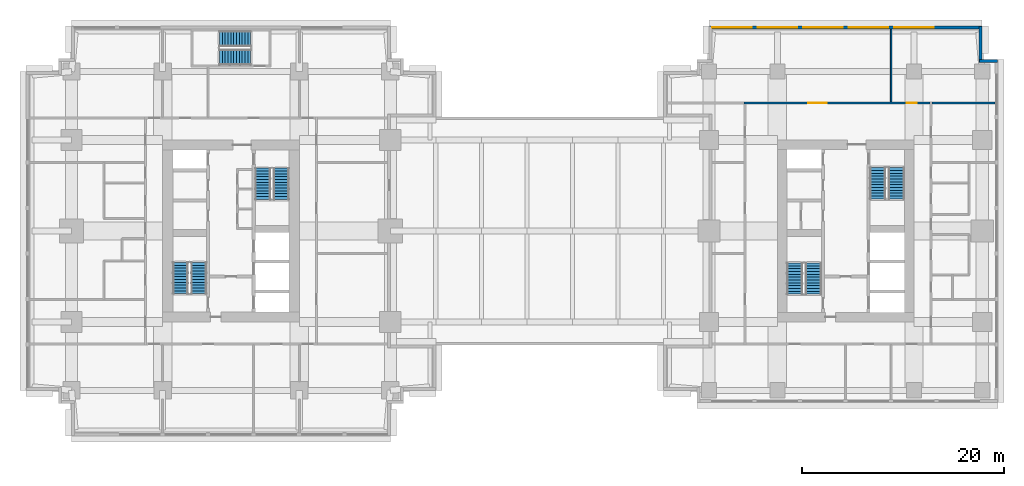
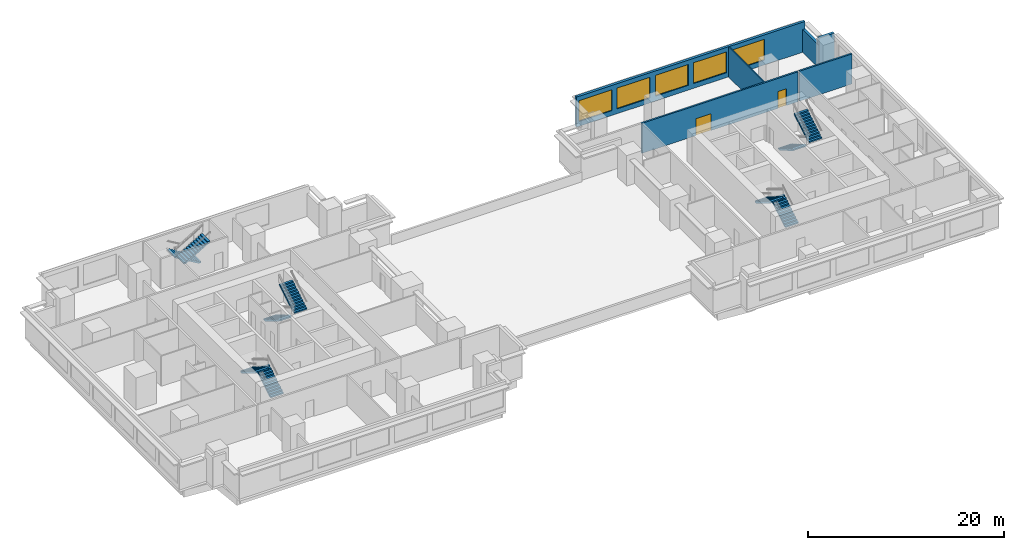
# One storey, part 8 of 10: 10 stair flights, 6 walls, 5 windows, 2 doors, 7 openings, 5 elements without a shape of their own.
"""IFC4 building model written with IfcOpenShell, lengths in metres."""

from ifc_helpers import new_model, si_unit, direction, frame, frame_2d, origin, place, context, subcontext, project, spatial, polyline, rectangle, outline, extrude, material, layer, layer_set, type_object, element, fill, aggregate, save


model = new_model("IFC4")

# Units and contexts
model_context = context("Model", 3, precision=1e-05, world=origin(), true_north=direction((0.0, 1.0)))
body_context = subcontext(model_context, "Body", "Model", "MODEL_VIEW")
ifc_project = project(units=[si_unit("LENGTHUNIT", "METRE"), si_unit("AREAUNIT", "SQUARE_METRE"), si_unit("VOLUMEUNIT", "CUBIC_METRE"), si_unit("PLANEANGLEUNIT", "RADIAN"), si_unit("MASSUNIT", "GRAM", prefix="KILO")], contexts=[model_context])

# Site, building, storey
site_placement = place(None, origin())
site = spatial("IfcSite", under=ifc_project, at=site_placement, CompositionType="ELEMENT")
building_placement = place(site_placement, origin())
building = spatial("IfcBuilding", under=site, at=building_placement, Name="Namib Vertical Campus", CompositionType="ELEMENT")
storey_placement = place(building_placement, frame((0.0, 0.0, 137.0)))
storey = spatial("IfcBuildingStorey", under=building, at=storey_placement, Name="L32", CompositionType="ELEMENT", Elevation=137.0)

# Wall, openings, doors
ifc_material_1 = material(Name="Concrete masonry", Category="masonry")
ifc_layer_1 = layer(ifc_material_1, 0.199951171875)
ifc_layer_set_1 = layer_set([ifc_layer_1], Name="Corridor wall 200")
wall_type_1 = type_object("IfcWallType", Name="Corridor wall 200", PredefinedType="SOLIDWALL", material=ifc_layer_set_1)
wall_1_placement = place(storey_placement, frame((89.35009765625, 32.89990234375, 0.0), z_axis=(0.0, 0.0, 1.0), x_axis=(-1.0, 0.0, 0.0)))
wall_1 = element("IfcWall", 1, at=wall_1_placement, inside=storey, type_object=wall_type_1, Name="Corridor wall B L32 CN", PredefinedType="SOLIDWALL", context=body_context, shape_type="SweptSolid", body=[
    extrude(rectangle(XDim=18.400146484375, YDim=0.199951171875, at=frame_2d((9.2001953125, 0.0))), origin(), (0.0, 0.0, 1.0), 3.75),
])
opening_1_placement = place(wall_1_placement, frame((10.22509765625, 0.0, 0.0)))
opening_1 = element("IfcOpeningElement", 2, at=opening_1_placement, cuts=wall_1, Name="Opening CD2", PredefinedType="OPENING", context=body_context, shape_type="SweptSolid", body=[
    extrude(rectangle(XDim=1.800048828125, YDim=2.10009765625, at=frame_2d((0.89990234375, 1.050048828125))), frame((0.0, 0.10986328125, 0.0), z_axis=(0.0, -1.0, 0.0), x_axis=(1.0, 0.0, 0.0)), (0.0, 0.0, 1.0), 0.219970703125),
])
opening_2_placement = place(wall_1_placement, frame((1.324951171875, 0.0, 0.0)))
opening_2 = element("IfcOpeningElement", 3, at=opening_2_placement, cuts=wall_1, Name="Opening CD1", PredefinedType="OPENING", context=body_context, shape_type="SweptSolid", body=[
    extrude(rectangle(XDim=1.0, YDim=2.10009765625, at=frame_2d((0.5, 1.050048828125))), frame((0.0, 0.10986328125, 0.0), z_axis=(0.0, -1.0, 0.0), x_axis=(1.0, 0.0, 0.0)), (0.0, 0.0, 1.0), 0.219970703125),
])
ifc_material_2 = material(Name="Timber fire door leaf", Category="wood")
door_type_1 = type_object("IfcDoorType", Name="Corridor door 1000x2100 20 min", OperationType="SINGLE_SWING_LEFT", PredefinedType="DOOR", material=ifc_material_2)
door_1_placement = place(opening_2_placement, frame((1.0, 0.0, 0.0), z_axis=(0.0, 0.0, 1.0), x_axis=(-1.0, 0.0, 0.0)))
door_1 = element("IfcDoor", 4, at=door_1_placement, inside=storey, type_object=door_type_1, Name="Door CD1 B32-12", OperationType="SINGLE_SWING_LEFT", OverallHeight=2.10009765625, OverallWidth=1.0, PredefinedType="DOOR", context=body_context, shape_type="SweptSolid", body=[
    extrude(rectangle(XDim=1.0, YDim=2.10009765625, at=frame_2d((0.5, 1.050048828125))), frame((0.0, 0.02490234375, 0.0), z_axis=(0.0, -1.0, 0.0), x_axis=(1.0, 0.0, 0.0)), (0.0, 0.0, 1.0), 0.050048828125),
])
fill(opening_2, door_1)
ifc_material_3 = material(Name="Timber fire door leaf", Category="wood")
door_type_2 = type_object("IfcDoorType", Name="Corridor door double 1800x2100 20 min", OperationType="DOUBLE_DOOR_SINGLE_SWING", PredefinedType="DOOR", material=ifc_material_3)
door_2_placement = place(opening_1_placement, frame((1.800048828125, 0.0, 0.0), z_axis=(0.0, 0.0, 1.0), x_axis=(-1.0, 0.0, 0.0)))
door_2 = element("IfcDoor", 5, at=door_2_placement, inside=storey, type_object=door_type_2, Name="Door CD2 B32-11", OperationType="DOUBLE_DOOR_SINGLE_SWING", OverallHeight=2.10009765625, OverallWidth=1.800048828125, PredefinedType="DOOR", context=body_context, shape_type="SweptSolid", body=[
    extrude(rectangle(XDim=1.800048828125, YDim=2.10009765625, at=frame_2d((0.89990234375, 1.050048828125))), frame((0.0, 0.02490234375, 0.0), z_axis=(0.0, -1.0, 0.0), x_axis=(1.0, 0.0, 0.0)), (0.0, 0.0, 1.0), 0.050048828125),
])
fill(opening_1, door_2)

# Walls
wall_2_placement = place(storey_placement, frame((89.550048828125, 32.89990234375, 0.0), z_axis=(0.0, 0.0, 1.0), x_axis=(1.0, 0.0, 0.0)))
element("IfcWall", 6, at=wall_2_placement, inside=storey, type_object=wall_type_1, Name="Partition B L32 BNE", PredefinedType="SOLIDWALL", context=body_context, shape_type="SweptSolid", body=[
    extrude(rectangle(XDim=6.199951171875, YDim=0.199951171875, at=frame_2d((3.10009765625, 0.0))), origin(), (0.0, 0.0, 1.0), 3.75),
])
ifc_material_4 = material(Name="Concrete C40/50", Category="concrete")
ifc_layer_2 = layer(ifc_material_4, 0.300048828125)
ifc_layer_set_2 = layer_set([ifc_layer_2], Name="Concrete C40/50")
wall_type_2 = type_object("IfcWallType", Name="External wall 300 board-marked concrete", PredefinedType="STANDARD", material=ifc_layer_set_2)
wall_3_placement = place(storey_placement, frame((96.030029296875, 37.050048828125, 0.0), z_axis=(0.0, 0.0, 1.0), x_axis=(-1.0, 0.0, 0.0)))
element("IfcWall", 7, at=wall_3_placement, inside=storey, type_object=wall_type_2, Name="External wall L32 F06", PredefinedType="STANDARD", context=body_context, shape_type="SweptSolid", body=[
    extrude(rectangle(XDim=1.81005859375, YDim=0.300048828125, at=frame_2d((0.905029296875, 0.0))), origin(), (0.0, 0.0, 1.0), 3.75),
])
wall_4_placement = place(storey_placement, frame((94.35009765625, 36.919921875, 0.0), z_axis=(0.0, 0.0, 1.0), x_axis=(0.0, 1.0, 0.0)))
element("IfcWall", 8, at=wall_4_placement, inside=storey, type_object=wall_type_2, Name="External wall L32 F07", PredefinedType="STANDARD", context=body_context, shape_type="SweptSolid", body=[
    extrude(rectangle(XDim=3.56005859375, YDim=0.300048828125, at=frame_2d((1.780029296875, 0.0))), origin(), (0.0, 0.0, 1.0), 2.85009765625),
])

# Wall, openings, windows
wall_5_placement = place(storey_placement, frame((94.47998046875, 40.35009765625, 0.0), z_axis=(0.0, 0.0, 1.0), x_axis=(-1.0, 0.0, 0.0)))
wall_5 = element("IfcWall", 9, at=wall_5_placement, inside=storey, type_object=wall_type_2, Name="External wall L32 F08", PredefinedType="STANDARD", context=body_context, shape_type="SweptSolid", body=[
    extrude(rectangle(XDim=26.9599609375, YDim=0.300048828125, at=frame_2d((13.47998046875, 0.0))), origin(), (0.0, 0.0, 1.0), 3.75),
])
opening_3_placement = place(wall_5_placement, frame((22.780029296875, 0.0, 0.60009765625)))
opening_3 = element("IfcOpeningElement", 10, at=opening_3_placement, cuts=wall_5, Name="Opening W2", PredefinedType="OPENING", context=body_context, shape_type="SweptSolid", body=[
    extrude(rectangle(XDim=3.89990234375, YDim=2.60009765625, at=frame_2d((1.949951171875, 1.300048828125))), frame((0.0, 0.159912109375, 0.0), z_axis=(0.0, -1.0, 0.0), x_axis=(1.0, 0.0, 0.0)), (0.0, 0.0, 1.0), 0.320068359375),
])
opening_4_placement = place(wall_5_placement, frame((18.280029296875, 0.0, 0.60009765625)))
opening_4 = element("IfcOpeningElement", 11, at=opening_4_placement, cuts=wall_5, Name="Opening W2", PredefinedType="OPENING", context=body_context, shape_type="SweptSolid", body=[
    extrude(rectangle(XDim=3.89990234375, YDim=2.60009765625, at=frame_2d((1.949951171875, 1.300048828125))), frame((0.0, 0.159912109375, 0.0), z_axis=(0.0, -1.0, 0.0), x_axis=(1.0, 0.0, 0.0)), (0.0, 0.0, 1.0), 0.320068359375),
])
opening_5_placement = place(wall_5_placement, frame((13.780029296875, 0.0, 0.60009765625)))
opening_5 = element("IfcOpeningElement", 12, at=opening_5_placement, cuts=wall_5, Name="Opening W2", PredefinedType="OPENING", context=body_context, shape_type="SweptSolid", body=[
    extrude(rectangle(XDim=3.89990234375, YDim=2.60009765625, at=frame_2d((1.949951171875, 1.300048828125))), frame((0.0, 0.159912109375, 0.0), z_axis=(0.0, -1.0, 0.0), x_axis=(1.0, 0.0, 0.0)), (0.0, 0.0, 1.0), 0.320068359375),
])
opening_6_placement = place(wall_5_placement, frame((9.280029296875, 0.0, 0.60009765625)))
opening_6 = element("IfcOpeningElement", 13, at=opening_6_placement, cuts=wall_5, Name="Opening W2", PredefinedType="OPENING", context=body_context, shape_type="SweptSolid", body=[
    extrude(rectangle(XDim=3.89990234375, YDim=2.60009765625, at=frame_2d((1.949951171875, 1.300048828125))), frame((0.0, 0.159912109375, 0.0), z_axis=(0.0, -1.0, 0.0), x_axis=(1.0, 0.0, 0.0)), (0.0, 0.0, 1.0), 0.320068359375),
])
opening_7_placement = place(wall_5_placement, frame((4.780029296875, 0.0, 0.60009765625)))
opening_7 = element("IfcOpeningElement", 14, at=opening_7_placement, cuts=wall_5, Name="Opening W2", PredefinedType="OPENING", context=body_context, shape_type="SweptSolid", body=[
    extrude(rectangle(XDim=3.89990234375, YDim=2.60009765625, at=frame_2d((1.949951171875, 1.300048828125))), frame((0.0, 0.159912109375, 0.0), z_axis=(0.0, -1.0, 0.0), x_axis=(1.0, 0.0, 0.0)), (0.0, 0.0, 1.0), 0.320068359375),
])
ifc_material_5 = material(Name="Dark tinted glass in black aluminium frame", Category="aluminium")
window_type = type_object("IfcWindowType", Name="Ribbon window 3900x2600", PartitioningType="SINGLE_PANEL", PredefinedType="WINDOW", material=ifc_material_5)
window_1_placement = place(opening_3_placement, origin())
window_1 = element("IfcWindow", 15, at=window_1_placement, inside=storey, type_object=window_type, Name="Window W2 L32 F08-1", OverallHeight=2.60009765625, OverallWidth=3.89990234375, PartitioningType="SINGLE_PANEL", PredefinedType="WINDOW", context=body_context, shape_type="SweptSolid", body=[
    extrude(rectangle(XDim=3.89990234375, YDim=2.60009765625, at=frame_2d((1.949951171875, 1.300048828125))), frame((0.0, 0.030029296875, 0.0), z_axis=(0.0, -1.0, 0.0), x_axis=(1.0, 0.0, 0.0)), (0.0, 0.0, 1.0), 0.06005859375),
])
fill(opening_3, window_1)
window_2_placement = place(opening_4_placement, origin())
window_2 = element("IfcWindow", 16, at=window_2_placement, inside=storey, type_object=window_type, Name="Window W2 L32 F08-2", OverallHeight=2.60009765625, OverallWidth=3.89990234375, PartitioningType="SINGLE_PANEL", PredefinedType="WINDOW", context=body_context, shape_type="SweptSolid", body=[
    extrude(rectangle(XDim=3.89990234375, YDim=2.60009765625, at=frame_2d((1.949951171875, 1.300048828125))), frame((0.0, 0.030029296875, 0.0), z_axis=(0.0, -1.0, 0.0), x_axis=(1.0, 0.0, 0.0)), (0.0, 0.0, 1.0), 0.06005859375),
])
fill(opening_4, window_2)
window_3_placement = place(opening_5_placement, origin())
window_3 = element("IfcWindow", 17, at=window_3_placement, inside=storey, type_object=window_type, Name="Window W2 L32 F08-3", OverallHeight=2.60009765625, OverallWidth=3.89990234375, PartitioningType="SINGLE_PANEL", PredefinedType="WINDOW", context=body_context, shape_type="SweptSolid", body=[
    extrude(rectangle(XDim=3.89990234375, YDim=2.60009765625, at=frame_2d((1.949951171875, 1.300048828125))), frame((0.0, 0.030029296875, 0.0), z_axis=(0.0, -1.0, 0.0), x_axis=(1.0, 0.0, 0.0)), (0.0, 0.0, 1.0), 0.06005859375),
])
fill(opening_5, window_3)
window_4_placement = place(opening_6_placement, origin())
window_4 = element("IfcWindow", 18, at=window_4_placement, inside=storey, type_object=window_type, Name="Window W2 L32 F08-4", OverallHeight=2.60009765625, OverallWidth=3.89990234375, PartitioningType="SINGLE_PANEL", PredefinedType="WINDOW", context=body_context, shape_type="SweptSolid", body=[
    extrude(rectangle(XDim=3.89990234375, YDim=2.60009765625, at=frame_2d((1.949951171875, 1.300048828125))), frame((0.0, 0.030029296875, 0.0), z_axis=(0.0, -1.0, 0.0), x_axis=(1.0, 0.0, 0.0)), (0.0, 0.0, 1.0), 0.06005859375),
])
fill(opening_6, window_4)
window_5_placement = place(opening_7_placement, origin())
window_5 = element("IfcWindow", 19, at=window_5_placement, inside=storey, type_object=window_type, Name="Window W2 L32 F08-5", OverallHeight=2.60009765625, OverallWidth=3.89990234375, PartitioningType="SINGLE_PANEL", PredefinedType="WINDOW", context=body_context, shape_type="SweptSolid", body=[
    extrude(rectangle(XDim=3.89990234375, YDim=2.60009765625, at=frame_2d((1.949951171875, 1.300048828125))), frame((0.0, 0.030029296875, 0.0), z_axis=(0.0, -1.0, 0.0), x_axis=(1.0, 0.0, 0.0)), (0.0, 0.0, 1.0), 0.06005859375),
])
fill(opening_7, window_5)

# Wall
ifc_material_6 = material(Name="Gypsum board on steel studs", Category="steel")
ifc_layer_3 = layer(ifc_material_6, 0.14990234375)
ifc_layer_set_3 = layer_set([ifc_layer_3], Name="Gypsum board on steel studs")
wall_type_3 = type_object("IfcWallType", Name="Partition 150", PredefinedType="PARTITIONING", material=ifc_layer_set_3)
wall_6_placement = place(storey_placement, frame((85.5, 33.0, 0.0), z_axis=(0.0, 0.0, 1.0), x_axis=(0.0, 1.0, 0.0)))
element("IfcWall", 20, at=wall_6_placement, inside=storey, type_object=wall_type_3, Name="Partition B L32 PN1", PredefinedType="PARTITIONING", context=body_context, shape_type="SweptSolid", body=[
    extrude(rectangle(XDim=7.199951171875, YDim=0.14990234375, at=frame_2d((3.60009765625, 0.0))), origin(), (0.0, 0.0, 1.0), 3.75),
])

# Stair, stair flights
ifc_material_7 = material(Name="Concrete C40/50 precast", Category="concrete")
stair_type_1 = type_object("IfcStairType", Name="Exit stair 4000 rise 24 risers 3350 wide", PredefinedType="HALF_TURN_STAIR", material=ifc_material_7)
stair_1_placement = place(storey_placement, origin())
stair_1 = element("IfcStair", 21, at=stair_1_placement, inside=storey, type_object=stair_type_1, Name="Exit stair A-S1 L32", PredefinedType="HALF_TURN_STAIR")
ifc_material_8 = material(Name="Concrete C40/50 precast", Category="concrete")
stair_flight_type_1 = type_object("IfcStairFlightType", Name="Stair flight 12 risers 167 1525 wide", PredefinedType="STRAIGHT", material=ifc_material_8)
stair_flight_1_placement = place(storey_placement, frame((17.08740234375, 14.050048828125, 0.0), z_axis=(0.0, 0.0, 1.0), x_axis=(0.0, 1.0, 0.0)))
stair_flight_1 = element("IfcStairFlight", 22, at=stair_flight_1_placement, type_object=stair_flight_type_1, Name="A-S1 flight 1", NumberOfRisers=12, NumberOfTreads=11, PredefinedType="STRAIGHT", RiserHeight=0.166666667, TreadLength=0.28, context=body_context, shape_type="SweptSolid", body=[
    extrude(outline(polyline([(0.0, 0.0), (0.0, 0.166748046875), (0.280029296875, 0.166748046875), (0.280029296875, 0.333251953125), (0.56005859375, 0.333251953125), (0.56005859375, 0.5), (0.840087890625, 0.5), (0.840087890625, 0.666748046875), (1.1201171875, 0.666748046875), (1.1201171875, 0.833251953125), (1.39990234375, 0.833251953125), (1.39990234375, 1.0), (1.679931640625, 1.0), (1.679931640625, 1.166748046875), (1.9599609375, 1.166748046875), (1.9599609375, 1.333251953125), (2.239990234375, 1.333251953125), (2.239990234375, 1.5), (2.52001953125, 1.5), (2.52001953125, 1.666748046875), (2.800048828125, 1.666748046875), (2.800048828125, 1.833251953125), (3.080078125, 1.833251953125), (3.080078125, 2.0), (3.080078125, 1.658935546875), (0.29296875, 0.0), (0.0, 0.0)])), frame((0.0, 0.762451171875, 0.0), z_axis=(0.0, -1.0, 0.0), x_axis=(1.0, 0.0, 0.0)), (0.0, 0.0, 1.0), 1.52490234375),
])
stair_flight_2_placement = place(storey_placement, frame((15.262451171875, 17.1298828125, 2.0), z_axis=(0.0, 0.0, 1.0), x_axis=(0.0, -1.0, 0.0)))
stair_flight_2 = element("IfcStairFlight", 23, at=stair_flight_2_placement, type_object=stair_flight_type_1, Name="A-S1 flight 2", NumberOfRisers=12, NumberOfTreads=11, PredefinedType="STRAIGHT", RiserHeight=0.166666667, TreadLength=0.28, context=body_context, shape_type="SweptSolid", body=[
    extrude(outline(polyline([(0.0, 0.0), (0.0, 0.166748046875), (0.280029296875, 0.166748046875), (0.280029296875, 0.333251953125), (0.56005859375, 0.333251953125), (0.56005859375, 0.5), (0.840087890625, 0.5), (0.840087890625, 0.666748046875), (1.1201171875, 0.666748046875), (1.1201171875, 0.833251953125), (1.39990234375, 0.833251953125), (1.39990234375, 1.0), (1.679931640625, 1.0), (1.679931640625, 1.166748046875), (1.9599609375, 1.166748046875), (1.9599609375, 1.333251953125), (2.239990234375, 1.333251953125), (2.239990234375, 1.5), (2.52001953125, 1.5), (2.52001953125, 1.666748046875), (2.800048828125, 1.666748046875), (2.800048828125, 1.833251953125), (3.080078125, 1.833251953125), (3.080078125, 2.0), (3.080078125, 1.658935546875), (0.29296875, 0.0), (0.0, 0.0)])), frame((0.0, 0.762451171875, 0.0), z_axis=(0.0, -1.0, 0.0), x_axis=(1.0, 0.0, 0.0)), (0.0, 0.0, 1.0), 1.52490234375),
])
aggregate(stair_1, [stair_flight_1, stair_flight_2])

stair_2_placement = place(storey_placement, origin())
stair_2 = element("IfcStair", 24, at=stair_2_placement, inside=storey, type_object=stair_type_1, Name="Exit stair A-S2 L32", PredefinedType="HALF_TURN_STAIR")
stair_flight_3_placement = place(storey_placement, frame((23.41259765625, 26.449951171875, 0.0), z_axis=(0.0, 0.0, 1.0), x_axis=(0.0, -1.0, 0.0)))
stair_flight_3 = element("IfcStairFlight", 25, at=stair_flight_3_placement, type_object=stair_flight_type_1, Name="A-S2 flight 1", NumberOfRisers=12, NumberOfTreads=11, PredefinedType="STRAIGHT", RiserHeight=0.166666667, TreadLength=0.28, context=body_context, shape_type="SweptSolid", body=[
    extrude(outline(polyline([(0.0, 0.0), (0.0, 0.166748046875), (0.280029296875, 0.166748046875), (0.280029296875, 0.333251953125), (0.56005859375, 0.333251953125), (0.56005859375, 0.5), (0.840087890625, 0.5), (0.840087890625, 0.666748046875), (1.1201171875, 0.666748046875), (1.1201171875, 0.833251953125), (1.39990234375, 0.833251953125), (1.39990234375, 1.0), (1.679931640625, 1.0), (1.679931640625, 1.166748046875), (1.9599609375, 1.166748046875), (1.9599609375, 1.333251953125), (2.239990234375, 1.333251953125), (2.239990234375, 1.5), (2.52001953125, 1.5), (2.52001953125, 1.666748046875), (2.800048828125, 1.666748046875), (2.800048828125, 1.833251953125), (3.080078125, 1.833251953125), (3.080078125, 2.0), (3.080078125, 1.658935546875), (0.29296875, 0.0), (0.0, 0.0)])), frame((0.0, 0.762451171875, 0.0), z_axis=(0.0, -1.0, 0.0), x_axis=(1.0, 0.0, 0.0)), (0.0, 0.0, 1.0), 1.52490234375),
])
stair_flight_4_placement = place(storey_placement, frame((25.237548828125, 23.3701171875, 2.0), z_axis=(0.0, 0.0, 1.0), x_axis=(0.0, 1.0, 0.0)))
stair_flight_4 = element("IfcStairFlight", 26, at=stair_flight_4_placement, type_object=stair_flight_type_1, Name="A-S2 flight 2", NumberOfRisers=12, NumberOfTreads=11, PredefinedType="STRAIGHT", RiserHeight=0.166666667, TreadLength=0.28, context=body_context, shape_type="SweptSolid", body=[
    extrude(outline(polyline([(0.0, 0.0), (0.0, 0.166748046875), (0.280029296875, 0.166748046875), (0.280029296875, 0.333251953125), (0.56005859375, 0.333251953125), (0.56005859375, 0.5), (0.840087890625, 0.5), (0.840087890625, 0.666748046875), (1.1201171875, 0.666748046875), (1.1201171875, 0.833251953125), (1.39990234375, 0.833251953125), (1.39990234375, 1.0), (1.679931640625, 1.0), (1.679931640625, 1.166748046875), (1.9599609375, 1.166748046875), (1.9599609375, 1.333251953125), (2.239990234375, 1.333251953125), (2.239990234375, 1.5), (2.52001953125, 1.5), (2.52001953125, 1.666748046875), (2.800048828125, 1.666748046875), (2.800048828125, 1.833251953125), (3.080078125, 1.833251953125), (3.080078125, 2.0), (3.080078125, 1.658935546875), (0.29296875, 0.0), (0.0, 0.0)])), frame((0.0, 0.762451171875, 0.0), z_axis=(0.0, -1.0, 0.0), x_axis=(1.0, 0.0, 0.0)), (0.0, 0.0, 1.0), 1.52490234375),
])
aggregate(stair_2, [stair_flight_3, stair_flight_4])

stair_3_placement = place(storey_placement, origin())
stair_3 = element("IfcStair", 27, at=stair_3_placement, inside=storey, type_object=stair_type_1, Name="Exit stair A-S3 L32", PredefinedType="HALF_TURN_STAIR")
stair_flight_5_placement = place(storey_placement, frame((22.199951171875, 39.237548828125, 0.0), z_axis=(0.0, 0.0, 1.0), x_axis=(-1.0, 0.0, 0.0)))
stair_flight_5 = element("IfcStairFlight", 28, at=stair_flight_5_placement, type_object=stair_flight_type_1, Name="A-S3 flight 1", NumberOfRisers=12, NumberOfTreads=11, PredefinedType="STRAIGHT", RiserHeight=0.166666667, TreadLength=0.28, context=body_context, shape_type="SweptSolid", body=[
    extrude(outline(polyline([(0.0, 0.0), (0.0, 0.166748046875), (0.280029296875, 0.166748046875), (0.280029296875, 0.333251953125), (0.56005859375, 0.333251953125), (0.56005859375, 0.5), (0.840087890625, 0.5), (0.840087890625, 0.666748046875), (1.1201171875, 0.666748046875), (1.1201171875, 0.833251953125), (1.39990234375, 0.833251953125), (1.39990234375, 1.0), (1.679931640625, 1.0), (1.679931640625, 1.166748046875), (1.9599609375, 1.166748046875), (1.9599609375, 1.333251953125), (2.239990234375, 1.333251953125), (2.239990234375, 1.5), (2.52001953125, 1.5), (2.52001953125, 1.666748046875), (2.800048828125, 1.666748046875), (2.800048828125, 1.833251953125), (3.080078125, 1.833251953125), (3.080078125, 2.0), (3.080078125, 1.658935546875), (0.29296875, 0.0), (0.0, 0.0)])), frame((0.0, 0.762451171875, 0.0), z_axis=(0.0, -1.0, 0.0), x_axis=(1.0, 0.0, 0.0)), (0.0, 0.0, 1.0), 1.52490234375),
])
stair_flight_6_placement = place(storey_placement, frame((19.1201171875, 37.41259765625, 2.0), z_axis=(0.0, 0.0, 1.0), x_axis=(1.0, 0.0, 0.0)))
stair_flight_6 = element("IfcStairFlight", 29, at=stair_flight_6_placement, type_object=stair_flight_type_1, Name="A-S3 flight 2", NumberOfRisers=12, NumberOfTreads=11, PredefinedType="STRAIGHT", RiserHeight=0.166666667, TreadLength=0.28, context=body_context, shape_type="SweptSolid", body=[
    extrude(outline(polyline([(0.0, 0.0), (0.0, 0.166748046875), (0.280029296875, 0.166748046875), (0.280029296875, 0.333251953125), (0.56005859375, 0.333251953125), (0.56005859375, 0.5), (0.840087890625, 0.5), (0.840087890625, 0.666748046875), (1.1201171875, 0.666748046875), (1.1201171875, 0.833251953125), (1.39990234375, 0.833251953125), (1.39990234375, 1.0), (1.679931640625, 1.0), (1.679931640625, 1.166748046875), (1.9599609375, 1.166748046875), (1.9599609375, 1.333251953125), (2.239990234375, 1.333251953125), (2.239990234375, 1.5), (2.52001953125, 1.5), (2.52001953125, 1.666748046875), (2.800048828125, 1.666748046875), (2.800048828125, 1.833251953125), (3.080078125, 1.833251953125), (3.080078125, 2.0), (3.080078125, 1.658935546875), (0.29296875, 0.0), (0.0, 0.0)])), frame((0.0, 0.762451171875, 0.0), z_axis=(0.0, -1.0, 0.0), x_axis=(1.0, 0.0, 0.0)), (0.0, 0.0, 1.0), 1.52490234375),
])
aggregate(stair_3, [stair_flight_5, stair_flight_6])

ifc_material_9 = material(Name="Concrete C40/50 precast", Category="concrete")
stair_type_2 = type_object("IfcStairType", Name="Exit stair 4000 rise 24 risers 3400 wide", PredefinedType="HALF_TURN_STAIR", material=ifc_material_9)
stair_4_placement = place(storey_placement, origin())
stair_4 = element("IfcStair", 30, at=stair_4_placement, inside=storey, type_object=stair_type_2, Name="Exit stair B-S1 L32", PredefinedType="HALF_TURN_STAIR")
ifc_material_10 = material(Name="Concrete C40/50 precast", Category="concrete")
stair_flight_type_2 = type_object("IfcStairFlightType", Name="Stair flight 12 risers 167 1550 wide", PredefinedType="STRAIGHT", material=ifc_material_10)
stair_flight_7_placement = place(storey_placement, frame((77.824951171875, 14.0, 0.0), z_axis=(0.0, 0.0, 1.0), x_axis=(0.0, 1.0, 0.0)))
stair_flight_7 = element("IfcStairFlight", 31, at=stair_flight_7_placement, type_object=stair_flight_type_2, Name="B-S1 flight 1", NumberOfRisers=12, NumberOfTreads=11, PredefinedType="STRAIGHT", RiserHeight=0.166666667, TreadLength=0.28, context=body_context, shape_type="SweptSolid", body=[
    extrude(outline(polyline([(0.0, 0.0), (0.0, 0.166748046875), (0.280029296875, 0.166748046875), (0.280029296875, 0.333251953125), (0.56005859375, 0.333251953125), (0.56005859375, 0.5), (0.840087890625, 0.5), (0.840087890625, 0.666748046875), (1.1201171875, 0.666748046875), (1.1201171875, 0.833251953125), (1.39990234375, 0.833251953125), (1.39990234375, 1.0), (1.679931640625, 1.0), (1.679931640625, 1.166748046875), (1.9599609375, 1.166748046875), (1.9599609375, 1.333251953125), (2.239990234375, 1.333251953125), (2.239990234375, 1.5), (2.52001953125, 1.5), (2.52001953125, 1.666748046875), (2.800048828125, 1.666748046875), (2.800048828125, 1.833251953125), (3.080078125, 1.833251953125), (3.080078125, 2.0), (3.080078125, 1.658935546875), (0.29296875, 0.0), (0.0, 0.0)])), frame((0.0, 0.77490234375, 0.0), z_axis=(0.0, -1.0, 0.0), x_axis=(1.0, 0.0, 0.0)), (0.0, 0.0, 1.0), 1.550048828125),
])
stair_flight_8_placement = place(storey_placement, frame((75.97509765625, 17.080078125, 2.0), z_axis=(0.0, 0.0, 1.0), x_axis=(0.0, -1.0, 0.0)))
stair_flight_8 = element("IfcStairFlight", 32, at=stair_flight_8_placement, type_object=stair_flight_type_2, Name="B-S1 flight 2", NumberOfRisers=12, NumberOfTreads=11, PredefinedType="STRAIGHT", RiserHeight=0.166666667, TreadLength=0.28, context=body_context, shape_type="SweptSolid", body=[
    extrude(outline(polyline([(0.0, 0.0), (0.0, 0.166748046875), (0.280029296875, 0.166748046875), (0.280029296875, 0.333251953125), (0.56005859375, 0.333251953125), (0.56005859375, 0.5), (0.840087890625, 0.5), (0.840087890625, 0.666748046875), (1.1201171875, 0.666748046875), (1.1201171875, 0.833251953125), (1.39990234375, 0.833251953125), (1.39990234375, 1.0), (1.679931640625, 1.0), (1.679931640625, 1.166748046875), (1.9599609375, 1.166748046875), (1.9599609375, 1.333251953125), (2.239990234375, 1.333251953125), (2.239990234375, 1.5), (2.52001953125, 1.5), (2.52001953125, 1.666748046875), (2.800048828125, 1.666748046875), (2.800048828125, 1.833251953125), (3.080078125, 1.833251953125), (3.080078125, 2.0), (3.080078125, 1.658935546875), (0.29296875, 0.0), (0.0, 0.0)])), frame((0.0, 0.77490234375, 0.0), z_axis=(0.0, -1.0, 0.0), x_axis=(1.0, 0.0, 0.0)), (0.0, 0.0, 1.0), 1.550048828125),
])
aggregate(stair_4, [stair_flight_7, stair_flight_8])

stair_5_placement = place(storey_placement, origin())
stair_5 = element("IfcStair", 33, at=stair_5_placement, inside=storey, type_object=stair_type_2, Name="Exit stair B-S2 L32", PredefinedType="HALF_TURN_STAIR")
stair_flight_9_placement = place(storey_placement, frame((84.175048828125, 26.5, 0.0), z_axis=(0.0, 0.0, 1.0), x_axis=(0.0, -1.0, 0.0)))
stair_flight_9 = element("IfcStairFlight", 34, at=stair_flight_9_placement, type_object=stair_flight_type_2, Name="B-S2 flight 1", NumberOfRisers=12, NumberOfTreads=11, PredefinedType="STRAIGHT", RiserHeight=0.166666667, TreadLength=0.28, context=body_context, shape_type="SweptSolid", body=[
    extrude(outline(polyline([(0.0, 0.0), (0.0, 0.166748046875), (0.280029296875, 0.166748046875), (0.280029296875, 0.333251953125), (0.56005859375, 0.333251953125), (0.56005859375, 0.5), (0.840087890625, 0.5), (0.840087890625, 0.666748046875), (1.1201171875, 0.666748046875), (1.1201171875, 0.833251953125), (1.39990234375, 0.833251953125), (1.39990234375, 1.0), (1.679931640625, 1.0), (1.679931640625, 1.166748046875), (1.9599609375, 1.166748046875), (1.9599609375, 1.333251953125), (2.239990234375, 1.333251953125), (2.239990234375, 1.5), (2.52001953125, 1.5), (2.52001953125, 1.666748046875), (2.800048828125, 1.666748046875), (2.800048828125, 1.833251953125), (3.080078125, 1.833251953125), (3.080078125, 2.0), (3.080078125, 1.658935546875), (0.29296875, 0.0), (0.0, 0.0)])), frame((0.0, 0.77490234375, 0.0), z_axis=(0.0, -1.0, 0.0), x_axis=(1.0, 0.0, 0.0)), (0.0, 0.0, 1.0), 1.550048828125),
])
stair_flight_10_placement = place(storey_placement, frame((86.02490234375, 23.419921875, 2.0), z_axis=(0.0, 0.0, 1.0), x_axis=(0.0, 1.0, 0.0)))
stair_flight_10 = element("IfcStairFlight", 35, at=stair_flight_10_placement, type_object=stair_flight_type_2, Name="B-S2 flight 2", NumberOfRisers=12, NumberOfTreads=11, PredefinedType="STRAIGHT", RiserHeight=0.166666667, TreadLength=0.28, context=body_context, shape_type="SweptSolid", body=[
    extrude(outline(polyline([(0.0, 0.0), (0.0, 0.166748046875), (0.280029296875, 0.166748046875), (0.280029296875, 0.333251953125), (0.56005859375, 0.333251953125), (0.56005859375, 0.5), (0.840087890625, 0.5), (0.840087890625, 0.666748046875), (1.1201171875, 0.666748046875), (1.1201171875, 0.833251953125), (1.39990234375, 0.833251953125), (1.39990234375, 1.0), (1.679931640625, 1.0), (1.679931640625, 1.166748046875), (1.9599609375, 1.166748046875), (1.9599609375, 1.333251953125), (2.239990234375, 1.333251953125), (2.239990234375, 1.5), (2.52001953125, 1.5), (2.52001953125, 1.666748046875), (2.800048828125, 1.666748046875), (2.800048828125, 1.833251953125), (3.080078125, 1.833251953125), (3.080078125, 2.0), (3.080078125, 1.658935546875), (0.29296875, 0.0), (0.0, 0.0)])), frame((0.0, 0.77490234375, 0.0), z_axis=(0.0, -1.0, 0.0), x_axis=(1.0, 0.0, 0.0)), (0.0, 0.0, 1.0), 1.550048828125),
])
aggregate(stair_5, [stair_flight_9, stair_flight_10])

save(model, "model.ifc")
